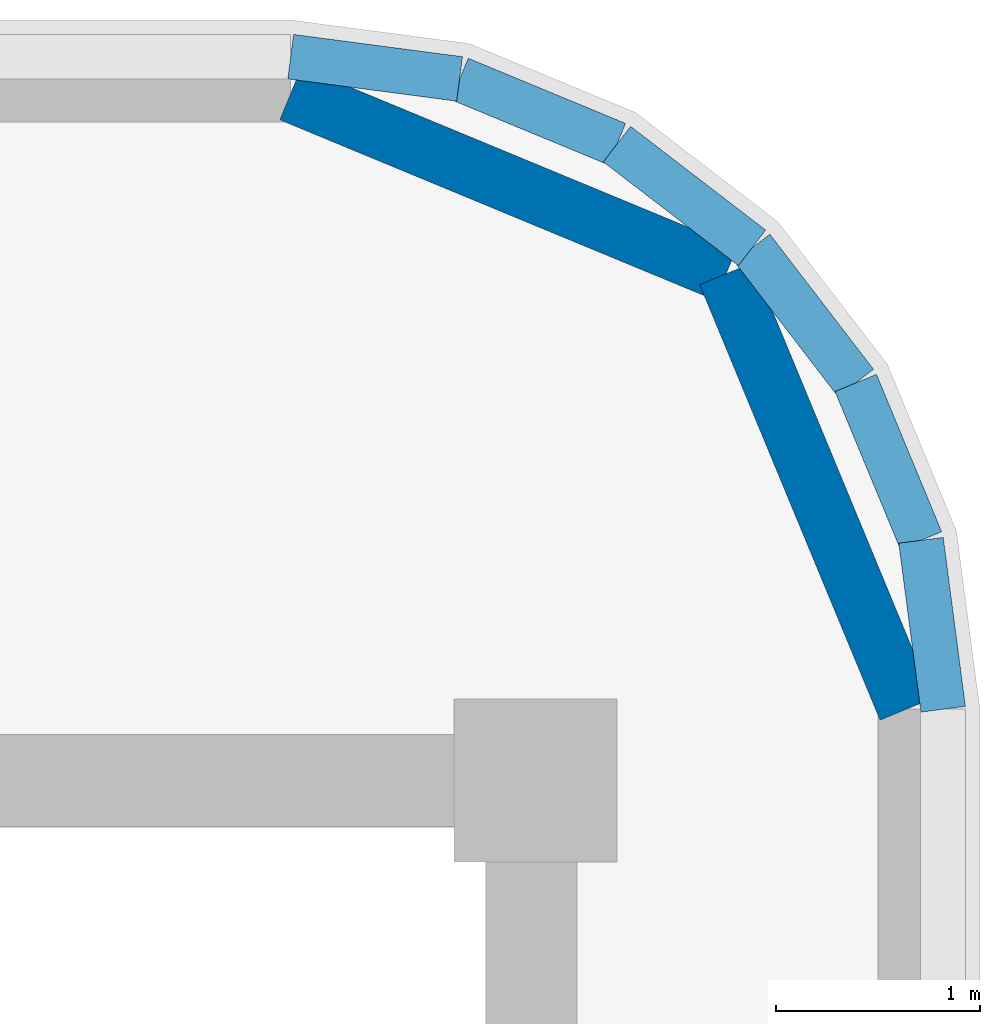
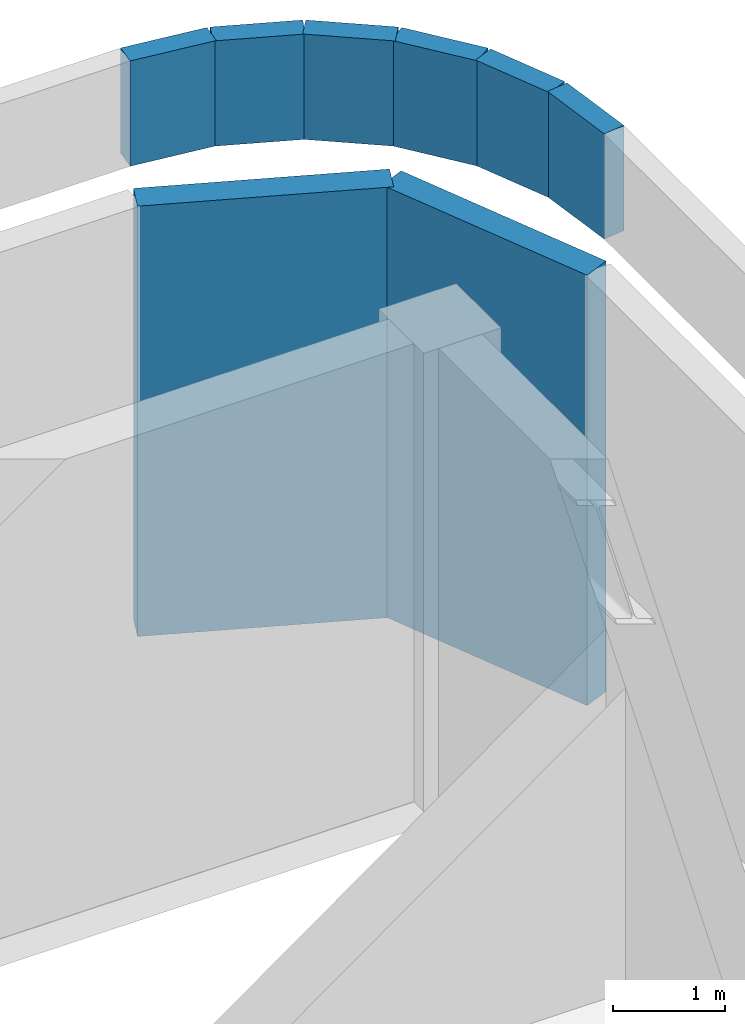
# One storey, part 3 of 4: 8 walls.
"""IFC4 building model written with IfcOpenShell, lengths in metres."""

from ifc_helpers import new_model, si_unit, direction, frame, frame_2d, origin, place, context, subcontext, project, spatial, rectangle, extrude, material, layer, layer_set, type_object, element, save


model = new_model("IFC4")

# Units and contexts
model_context = context("Model", 3, precision=1e-05, world=origin(), true_north=direction((0.0, 1.0)))
body_context = subcontext(model_context, "Body", "Model", "MODEL_VIEW")
ifc_project = project(units=[si_unit("LENGTHUNIT", "METRE"), si_unit("AREAUNIT", "SQUARE_METRE"), si_unit("VOLUMEUNIT", "CUBIC_METRE"), si_unit("PLANEANGLEUNIT", "RADIAN"), si_unit("MASSUNIT", "GRAM", prefix="KILO")], contexts=[model_context])

# Site, building, storey
site_placement = place(None, origin())
site = spatial("IfcSite", under=ifc_project, at=site_placement, CompositionType="ELEMENT")
building_placement = place(site_placement, origin())
building = spatial("IfcBuilding", under=site, at=building_placement, Name="Zarnavel Station Tower", CompositionType="ELEMENT")
storey_placement = place(building_placement, frame((0.0, 0.0, 286.60009765625)))
storey = spatial("IfcBuildingStorey", under=building, at=storey_placement, Name="L77", CompositionType="ELEMENT", Elevation=286.60009765625)

# Walls
ifc_material_1 = material(Name="Precast concrete C45/55 (Crown Drum Cladding)", Category="concrete")
ifc_layer_1 = layer(ifc_material_1, 0.280029296875)
ifc_layer_set_1 = layer_set([ifc_layer_1], Name="EW_DRUM_280")
wall_type_1 = type_object("IfcWallType", Name="EW_DRUM_280", PredefinedType="SOLIDWALL", material=ifc_layer_set_1)
for number, where, z_axis, x_axis, name in (
    (1, (46.33544921875, 39.535400390625, 0.0), (0.0, 0.0, 1.0), (0.382672070113, -0.923884238828, 0.0), "L77 Exterior Basalt Masonry Frame Wall 04"),
    (2, (44.199951171875, 40.419921875, 0.0), (0.0, 0.0, 1.0), (0.923884238828, -0.382672070113, 0.0), "L77 Exterior Basalt Masonry Frame Wall 05"),
):
    element("IfcWall", number, at=place(storey_placement, frame(where, z_axis=z_axis, x_axis=x_axis)), inside=storey, type_object=wall_type_1, Name=name, PredefinedType="SOLIDWALL", context=body_context, shape_type="SweptSolid", body=[
        extrude(rectangle(XDim=2.3115234375, YDim=0.280029296875, at=frame_2d((1.15576171875, 0.0))), origin(), (0.0, 0.0, 1.0), 4.699951171875),
    ])
ifc_material_2 = material(Name="Precast concrete C45/55 (Travertine Cap)", Category="masonry")
ifc_layer_2 = layer(ifc_material_2, 0.219970703125)
ifc_layer_set_2 = layer_set([ifc_layer_2], Name="PW_PARAPET_220")
wall_type_2 = type_object("IfcWallType", Name="PW_PARAPET_220", PredefinedType="PARAPET", material=ifc_layer_set_2)
for number, where, z_axis, x_axis, name in (
    (3, (47.39990234375, 37.39990234375, 5.0), (0.0, 0.0, 1.0), (-0.130326010341, 0.991471195259, 0.0), "Main Roof Parapet 08"),
    (4, (47.291015625, 38.228271484375, 5.0), (0.0, 0.0, 1.0), (-0.382850791505, 0.923810192325, 0.0), "Main Roof Parapet 09"),
):
    element("IfcWall", number, at=place(storey_placement, frame(where, z_axis=z_axis, x_axis=x_axis)), inside=storey, type_object=wall_type_2, Name=name, PredefinedType="PARAPET", context=body_context, shape_type="SweptSolid", body=[
        extrude(rectangle(XDim=0.83544921875, YDim=0.219970703125, at=frame_2d((0.417724609375, 0.0))), origin(), (0.0, 0.0, 1.0), 1.14990234375),
    ])
wall_1_placement = place(storey_placement, frame((46.97119140625, 39.0, 5.0), z_axis=(0.0, 0.0, 1.0), x_axis=(-0.608848730431, 0.793286343922, 0.0)))
element("IfcWall", 5, at=wall_1_placement, inside=storey, type_object=wall_type_2, Name="Main Roof Parapet 10", PredefinedType="PARAPET", context=body_context, shape_type="SweptSolid", body=[
    extrude(rectangle(XDim=0.835205078125, YDim=0.219970703125, at=frame_2d((0.41748046875, 0.0))), origin(), (0.0, 0.0, 1.0), 1.14990234375),
])
wall_2_placement = place(storey_placement, frame((46.462646484375, 39.66259765625, 5.0), z_axis=(0.0, 0.0, 1.0), x_axis=(-0.793145172168, 0.609032622991, 0.0)))
element("IfcWall", 6, at=wall_2_placement, inside=storey, type_object=wall_type_2, Name="Main Roof Parapet 11", PredefinedType="PARAPET", context=body_context, shape_type="SweptSolid", body=[
    extrude(rectangle(XDim=0.83544921875, YDim=0.219970703125, at=frame_2d((0.417724609375, 0.0))), origin(), (0.0, 0.0, 1.0), 1.14990234375),
])
wall_3_placement = place(storey_placement, frame((45.800048828125, 40.17138671875, 5.0), z_axis=(0.0, 0.0, 1.0), x_axis=(-0.923913534508, 0.382601333967, 0.0)))
element("IfcWall", 7, at=wall_3_placement, inside=storey, type_object=wall_type_2, Name="Main Roof Parapet 12", PredefinedType="PARAPET", context=body_context, shape_type="SweptSolid", body=[
    extrude(rectangle(XDim=0.835205078125, YDim=0.219970703125, at=frame_2d((0.41748046875, 0.0))), origin(), (0.0, 0.0, 1.0), 1.14990234375),
])
wall_4_placement = place(storey_placement, frame((45.0283203125, 40.490966796875, 5.0), z_axis=(0.0, 0.0, 1.0), x_axis=(-0.991433397225, 0.130613241544, 0.0)))
element("IfcWall", 8, at=wall_4_placement, inside=storey, type_object=wall_type_2, Name="Main Roof Parapet 13", PredefinedType="PARAPET", context=body_context, shape_type="SweptSolid", body=[
    extrude(rectangle(XDim=0.83544921875, YDim=0.219970703125, at=frame_2d((0.417724609375, 0.0))), origin(), (0.0, 0.0, 1.0), 1.14990234375),
])

save(model, "model.ifc")
